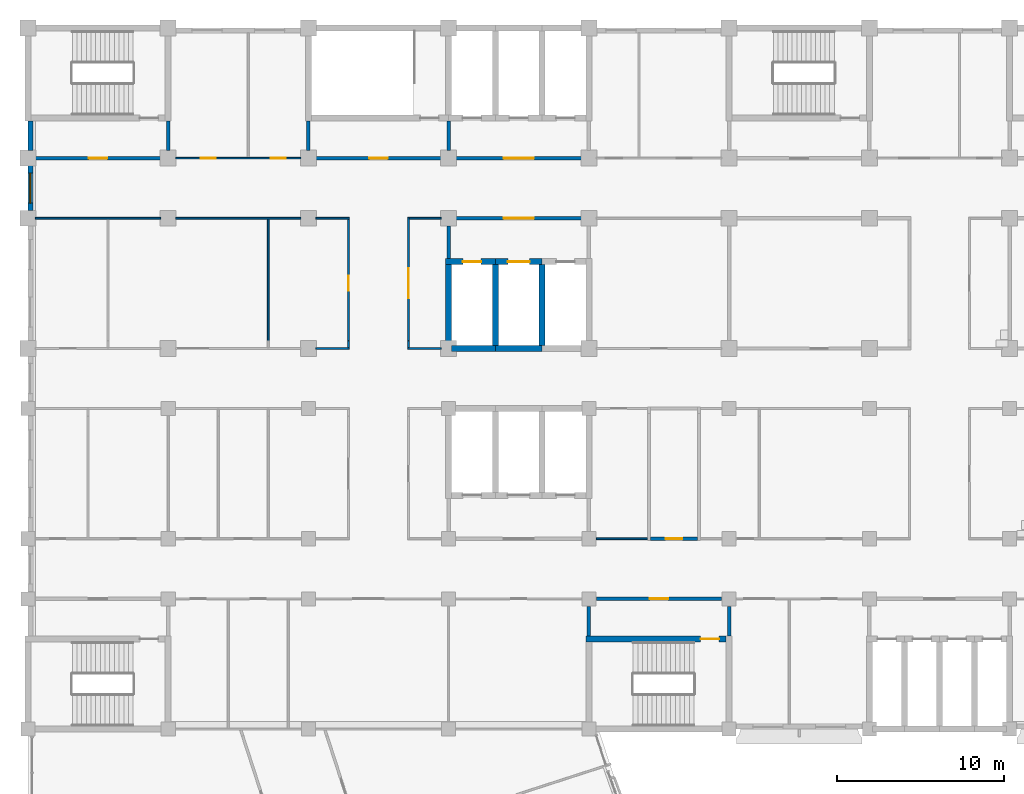
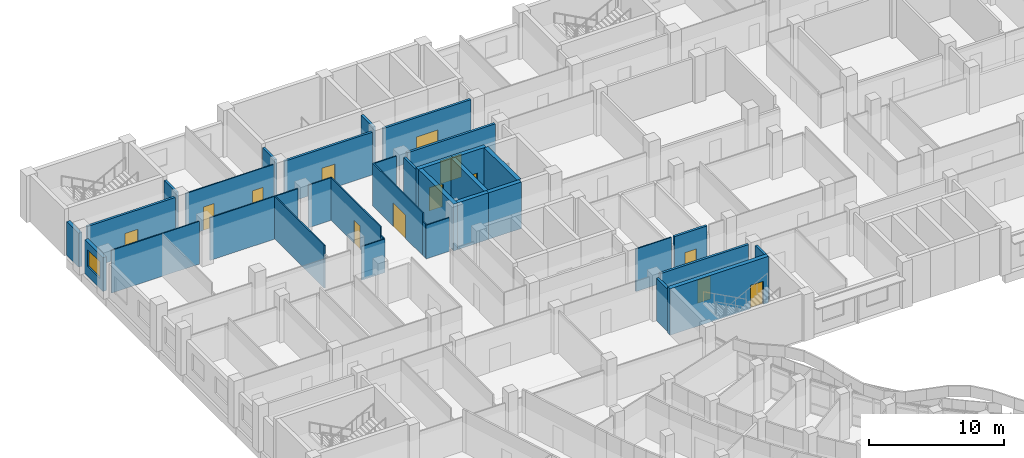
# One storey, part 58 of 109: 35 walls, 13 doors, 1 window, 14 openings.
"""IFC4 building model written with IfcOpenShell, lengths in metres."""

from ifc_helpers import new_model, si_unit, direction, frame, frame_2d, origin, place, context, subcontext, project, spatial, rectangle, extrude, material, layer, layer_set, type_object, element, fill, save


model = new_model("IFC4")

# Units and contexts
model_context = context("Model", 3, precision=1e-05, world=origin(), true_north=direction((0.0, 1.0)))
body_context = subcontext(model_context, "Body", "Model", "MODEL_VIEW")
ifc_project = project(units=[si_unit("LENGTHUNIT", "METRE"), si_unit("AREAUNIT", "SQUARE_METRE"), si_unit("VOLUMEUNIT", "CUBIC_METRE"), si_unit("PLANEANGLEUNIT", "RADIAN"), si_unit("MASSUNIT", "GRAM", prefix="KILO")], contexts=[model_context])

# Site, building, storey
site_placement = place(None, origin())
site = spatial("IfcSite", under=ifc_project, at=site_placement, CompositionType="ELEMENT")
building_placement = place(site_placement, origin())
building = spatial("IfcBuilding", under=site, at=building_placement, Name="Bougainvillea Quay General Hospital", CompositionType="ELEMENT")
storey_placement = place(building_placement, frame((0.0, 0.0, 12.60009765625)))
storey = spatial("IfcBuildingStorey", under=building, at=storey_placement, Name="L02", CompositionType="ELEMENT", Elevation=12.60009765625)

# Wall, opening, window
ifc_material_1 = material(Name="Pale stone rainscreen cladding on insulated masonry backing, pale stone", Category="masonry")
ifc_layer_1 = layer(ifc_material_1, 0.300048828125)
ifc_layer_set_1 = layer_set([ifc_layer_1], Name="Pale stone rainscreen cladding on insulated masonry backing, pale stone")
wall_type_1 = type_object("IfcWallType", Name="External wall pale stone rainscreen 300", PredefinedType="STANDARD", material=ifc_layer_set_1)
wall_1_placement = place(storey_placement, frame((42.14990234375, 151.35009765625, 0.0), z_axis=(0.0, 0.0, 1.0), x_axis=(0.0, -1.0, 0.0)))
wall_1 = element("IfcWall", 1, at=wall_1_placement, inside=storey, type_object=wall_type_1, Name="External wall wall/V4/L02/p0/10b", PredefinedType="STANDARD", context=body_context, shape_type="SweptSolid", body=[
    extrude(rectangle(XDim=2.7001953125, YDim=0.300048828125, at=frame_2d((1.35009765625, 0.0))), origin(), (0.0, 0.0, 1.0), 3.0498046875),
])
opening_1_placement = place(wall_1_placement, frame((0.449951171875, 0.0, 0.89990234375)))
opening_1 = element("IfcOpeningElement", 2, at=opening_1_placement, cuts=wall_1, Name="Opening W1", PredefinedType="OPENING", context=body_context, shape_type="SweptSolid", body=[
    extrude(rectangle(XDim=1.800048828125, YDim=1.5, at=frame_2d((0.89990234375, 0.75))), frame((0.0, 0.159912109375, 0.0), z_axis=(0.0, -1.0, 0.0), x_axis=(1.0, 0.0, 0.0)), (0.0, 0.0, 1.0), 0.320068359375),
])
ifc_material_2 = material(Name="Aluminium window frame with low-e double glazed unit", Category="aluminium")
window_type = type_object("IfcWindowType", Name="Window W1 1800x1500", PartitioningType="DOUBLE_PANEL_VERTICAL", PredefinedType="WINDOW", material=ifc_material_2)
window_placement = place(opening_1_placement, origin())
window = element("IfcWindow", 3, at=window_placement, inside=storey, type_object=window_type, Name="Window W1 1", OverallHeight=1.5, OverallWidth=1.800048828125, PartitioningType="SINGLE_PANEL", PredefinedType="WINDOW", context=body_context, shape_type="SweptSolid", body=[
    extrude(rectangle(XDim=1.800048828125, YDim=1.5, at=frame_2d((0.89990234375, 0.75))), frame((0.0, 0.030029296875, 0.0), z_axis=(0.0, -1.0, 0.0), x_axis=(1.0, 0.0, 0.0)), (0.0, 0.0, 1.0), 0.06005859375),
])
fill(opening_1, window)

# Walls
ifc_material_3 = material(Name="Terracotta rainscreen cladding on insulated masonry backing, terracotta", Category="masonry")
ifc_layer_2 = layer(ifc_material_3, 0.300048828125)
ifc_layer_set_2 = layer_set([ifc_layer_2], Name="Terracotta rainscreen cladding on insulated masonry backing, terracotta")
wall_type_2 = type_object("IfcWallType", Name="External wall terracotta rainscreen 300", PredefinedType="STANDARD", material=ifc_layer_set_2)
wall_2_placement = place(storey_placement, frame((42.14990234375, 154.02490234375, 0.0), z_axis=(0.0, 0.0, 1.0), x_axis=(0.0, -1.0, 0.0)))
element("IfcWall", 4, at=wall_2_placement, inside=storey, type_object=wall_type_2, Name="External wall wall/V4/L02/p0/10a", PredefinedType="STANDARD", context=body_context, shape_type="SweptSolid", body=[
    extrude(rectangle(XDim=1.77490234375, YDim=0.300048828125, at=frame_2d((0.887451171875, 0.0))), origin(), (0.0, 0.0, 1.0), 3.0498046875),
])
ifc_material_4 = material(Name="Gypsum board partition on steel studs", Category="steel")
ifc_layer_3 = layer(ifc_material_4, 0.10009765625)
ifc_layer_set_3 = layer_set([ifc_layer_3], Name="Gypsum board partition on steel studs")
wall_type_3 = type_object("IfcWallType", Name="Partition 100 Gypsum board partition", PredefinedType="PARTITIONING", material=ifc_layer_set_3)
wall_3_placement = place(storey_placement, frame((61.25, 140.39990234375, 0.0), z_axis=(0.0, 0.0, 1.0), x_axis=(-1.0, 0.0, 0.0)))
element("IfcWall", 5, at=wall_3_placement, inside=storey, type_object=wall_type_3, Name="Partition 100 mm", PredefinedType="PARTITIONING", context=body_context, shape_type="SweptSolid", body=[
    extrude(rectangle(XDim=2.0, YDim=0.10009765625, at=frame_2d((1.0, 0.0))), origin(), (0.0, 0.0, 1.0), 3.02978515625),
])
wall_4_placement = place(storey_placement, frame((61.25, 148.199951171875, 0.0), z_axis=(0.0, 0.0, 1.0), x_axis=(-1.0, 0.0, 0.0)))
element("IfcWall", 6, at=wall_4_placement, inside=storey, type_object=wall_type_3, Name="Partition 100 mm", PredefinedType="PARTITIONING", context=body_context, shape_type="SweptSolid", body=[
    extrude(rectangle(XDim=2.0, YDim=0.10009765625, at=frame_2d((1.0, 0.0))), origin(), (0.0, 0.0, 1.0), 3.849853515625),
])
for number, where, z_axis, x_axis, name in (
    (7, (58.35009765625, 148.199951171875, 0.0), (0.0, 0.0, 1.0), (-1.0, 0.0, 0.0), "Partition 100 mm"),
    (8, (49.949951171875, 148.199951171875, 0.0), (0.0, 0.0, 1.0), (-1.0, 0.0, 0.0), "Partition 100 mm"),
):
    element("IfcWall", number, at=place(storey_placement, frame(where, z_axis=z_axis, x_axis=x_axis)), inside=storey, type_object=wall_type_3, Name=name, PredefinedType="PARTITIONING", context=body_context, shape_type="SweptSolid", body=[
        extrude(rectangle(XDim=7.5, YDim=0.10009765625, at=frame_2d((3.75, 0.0))), origin(), (0.0, 0.0, 1.0), 3.849853515625),
    ])
wall_5_placement = place(storey_placement, frame((66.75, 140.39990234375, 0.0), z_axis=(0.0, 0.0, 1.0), x_axis=(-1.0, 0.0, 0.0)))
element("IfcWall", 9, at=wall_5_placement, inside=storey, type_object=wall_type_3, Name="Partition 100 mm", PredefinedType="PARTITIONING", context=body_context, shape_type="SweptSolid", body=[
    extrude(rectangle(XDim=2.0, YDim=0.10009765625, at=frame_2d((1.0, 0.0))), origin(), (0.0, 0.0, 1.0), 3.02978515625),
])

# Wall, openings, doors
wall_6_placement = place(storey_placement, frame((58.35009765625, 151.800048828125, 0.0), z_axis=(0.0, 0.0, 1.0), x_axis=(-1.0, 0.0, 0.0)))
wall_6 = element("IfcWall", 10, at=wall_6_placement, inside=storey, type_object=wall_type_3, Name="Partition 100 mm", PredefinedType="PARTITIONING", context=body_context, shape_type="SweptSolid", body=[
    extrude(rectangle(XDim=7.5, YDim=0.10009765625, at=frame_2d((3.75, 0.0))), origin(), (0.0, 0.0, 1.0), 3.849853515625),
])
opening_2_placement = place(wall_6_placement, frame((5.10107421875, 0.0, 0.0)))
opening_2 = element("IfcOpeningElement", 11, at=opening_2_placement, cuts=wall_6, Name="Opening L02.135", PredefinedType="OPENING", context=body_context, shape_type="SweptSolid", body=[
    extrude(rectangle(XDim=0.89990234375, YDim=2.10009765625, at=frame_2d((0.449951171875, 1.050048828125))), frame((0.0, 0.06005859375, 0.0), z_axis=(0.0, -1.0, 0.0), x_axis=(1.0, 0.0, 0.0)), (0.0, 0.0, 1.0), 0.1201171875),
])
opening_3_placement = place(wall_6_placement, frame((0.902099609375, 0.0, 0.0)))
opening_3 = element("IfcOpeningElement", 12, at=opening_3_placement, cuts=wall_6, Name="Opening L02.136", PredefinedType="OPENING", context=body_context, shape_type="SweptSolid", body=[
    extrude(rectangle(XDim=0.89990234375, YDim=2.10009765625, at=frame_2d((0.449951171875, 1.050048828125))), frame((0.0, 0.06005859375, 0.0), z_axis=(0.0, -1.0, 0.0), x_axis=(1.0, 0.0, 0.0)), (0.0, 0.0, 1.0), 0.1201171875),
])
ifc_material_5 = material(Name="Solid-core timber door leaf in steel frame", Category="steel")
door_type_1 = type_object("IfcDoorType", Name="Single leaf door 900x2100", OperationType="NOTDEFINED", PredefinedType="DOOR", material=ifc_material_5)
door_1_placement = place(opening_2_placement, frame((0.89990234375, 0.0, 0.0), z_axis=(0.0, 0.0, 1.0), x_axis=(-1.0, 0.0, 0.0)))
door_1 = element("IfcDoor", 13, at=door_1_placement, inside=storey, type_object=door_type_1, Name="DT07 L02.135", OperationType="SINGLE_SWING_LEFT", OverallHeight=2.10009765625, OverallWidth=0.89990234375, PredefinedType="DOOR", context=body_context, shape_type="SweptSolid", body=[
    extrude(rectangle(XDim=0.89990234375, YDim=2.10009765625, at=frame_2d((0.449951171875, 1.050048828125))), frame((0.0, 0.02490234375, 0.0), z_axis=(0.0, -1.0, 0.0), x_axis=(1.0, 0.0, 0.0)), (0.0, 0.0, 1.0), 0.050048828125),
])
fill(opening_2, door_1)
door_2_placement = place(opening_3_placement, frame((0.89990234375, 0.0, 0.0), z_axis=(0.0, 0.0, 1.0), x_axis=(-1.0, 0.0, 0.0)))
door_2 = element("IfcDoor", 14, at=door_2_placement, inside=storey, type_object=door_type_1, Name="DT07 L02.136", OperationType="SINGLE_SWING_RIGHT", OverallHeight=2.10009765625, OverallWidth=0.89990234375, PredefinedType="DOOR", context=body_context, shape_type="SweptSolid", body=[
    extrude(rectangle(XDim=0.89990234375, YDim=2.10009765625, at=frame_2d((0.449951171875, 1.050048828125))), frame((0.0, 0.02490234375, 0.0), z_axis=(0.0, -1.0, 0.0), x_axis=(1.0, 0.0, 0.0)), (0.0, 0.0, 1.0), 0.050048828125),
])
fill(opening_3, door_2)

# Walls
wall_7_placement = place(storey_placement, frame((56.39990234375, 140.85009765625, 0.0), z_axis=(0.0, 0.0, 1.0), x_axis=(0.0, 1.0, 0.0)))
element("IfcWall", 15, at=wall_7_placement, inside=storey, type_object=wall_type_3, Name="Partition 100 mm", PredefinedType="PARTITIONING", context=body_context, shape_type="SweptSolid", body=[
    extrude(rectangle(XDim=7.2998046875, YDim=0.10009765625, at=frame_2d((3.64990234375, 0.0))), origin(), (0.0, 0.0, 1.0), 3.849853515625),
])
wall_8_placement = place(storey_placement, frame((61.199951171875, 140.449951171875, 0.0), z_axis=(0.0, 0.0, 1.0), x_axis=(0.0, 1.0, 0.0)))
element("IfcWall", 16, at=wall_8_placement, inside=storey, type_object=wall_type_3, Name="Partition 100 mm", PredefinedType="PARTITIONING", context=body_context, shape_type="SweptSolid", body=[
    extrude(rectangle(XDim=0.400146484375, YDim=0.10009765625, at=frame_2d((0.2001953125, 0.0))), origin(), (0.0, 0.0, 1.0), 3.079833984375),
])

# Wall, opening, door
wall_9_placement = place(storey_placement, frame((61.199951171875, 140.85009765625, 0.0), z_axis=(0.0, 0.0, 1.0), x_axis=(0.0, 1.0, 0.0)))
wall_9 = element("IfcWall", 17, at=wall_9_placement, inside=storey, type_object=wall_type_3, Name="Partition 100 mm", PredefinedType="PARTITIONING", context=body_context, shape_type="SweptSolid", body=[
    extrude(rectangle(XDim=7.2998046875, YDim=0.10009765625, at=frame_2d((3.64990234375, 0.0))), origin(), (0.0, 0.0, 1.0), 3.849853515625),
])
opening_4_placement = place(wall_9_placement, frame((3.0, 0.0, 0.0)))
opening_4 = element("IfcOpeningElement", 18, at=opening_4_placement, cuts=wall_9, Name="Opening L02.134", PredefinedType="OPENING", context=body_context, shape_type="SweptSolid", body=[
    extrude(rectangle(XDim=0.89990234375, YDim=2.10009765625, at=frame_2d((0.449951171875, 1.050048828125))), frame((0.0, 0.06005859375, 0.0), z_axis=(0.0, -1.0, 0.0), x_axis=(1.0, 0.0, 0.0)), (0.0, 0.0, 1.0), 0.1201171875),
])
door_3_placement = place(opening_4_placement, origin())
door_3 = element("IfcDoor", 19, at=door_3_placement, inside=storey, type_object=door_type_1, Name="DT07 L02.134", OperationType="SINGLE_SWING_LEFT", OverallHeight=2.10009765625, OverallWidth=0.89990234375, PredefinedType="DOOR", context=body_context, shape_type="SweptSolid", body=[
    extrude(rectangle(XDim=0.89990234375, YDim=2.10009765625, at=frame_2d((0.449951171875, 1.050048828125))), frame((0.0, 0.02490234375, 0.0), z_axis=(0.0, -1.0, 0.0), x_axis=(1.0, 0.0, 0.0)), (0.0, 0.0, 1.0), 0.050048828125),
])
fill(opening_4, door_3)

# Wall
wall_10_placement = place(storey_placement, frame((64.800048828125, 140.449951171875, 0.0), z_axis=(0.0, 0.0, 1.0), x_axis=(0.0, 1.0, 0.0)))
element("IfcWall", 20, at=wall_10_placement, inside=storey, type_object=wall_type_3, Name="Partition 100 mm", PredefinedType="PARTITIONING", context=body_context, shape_type="SweptSolid", body=[
    extrude(rectangle(XDim=0.400146484375, YDim=0.10009765625, at=frame_2d((0.2001953125, 0.0))), origin(), (0.0, 0.0, 1.0), 3.079833984375),
])

# Wall, opening, door
wall_11_placement = place(storey_placement, frame((64.800048828125, 140.85009765625, 0.0), z_axis=(0.0, 0.0, 1.0), x_axis=(0.0, 1.0, 0.0)))
wall_11 = element("IfcWall", 21, at=wall_11_placement, inside=storey, type_object=wall_type_3, Name="Partition 100 mm", PredefinedType="PARTITIONING", context=body_context, shape_type="SweptSolid", body=[
    extrude(rectangle(XDim=7.39990234375, YDim=0.10009765625, at=frame_2d((3.699951171875, 0.0))), origin(), (0.0, 0.0, 1.0), 3.849853515625),
])
opening_5_placement = place(wall_11_placement, frame((2.550048828125, 0.0, 0.0)))
opening_5 = element("IfcOpeningElement", 22, at=opening_5_placement, cuts=wall_11, Name="Opening L02.139", PredefinedType="OPENING", context=body_context, shape_type="SweptSolid", body=[
    extrude(rectangle(XDim=1.800048828125, YDim=2.10009765625, at=frame_2d((0.89990234375, 1.050048828125))), frame((0.0, 0.06005859375, 0.0), z_axis=(0.0, -1.0, 0.0), x_axis=(1.0, 0.0, 0.0)), (0.0, 0.0, 1.0), 0.1201171875),
])
ifc_material_6 = material(Name="Solid-core timber door leaves in steel frame", Category="steel")
door_type_2 = type_object("IfcDoorType", Name="Double leaf door 1800x2100", OperationType="DOUBLE_DOOR_SINGLE_SWING", PredefinedType="DOOR", material=ifc_material_6)
door_4_placement = place(opening_5_placement, frame((1.800048828125, 0.0, 0.0), z_axis=(0.0, 0.0, 1.0), x_axis=(-1.0, 0.0, 0.0)))
door_4 = element("IfcDoor", 23, at=door_4_placement, inside=storey, type_object=door_type_2, Name="DT08 L02.139", OperationType="DOUBLE_DOOR_SINGLE_SWING", OverallHeight=2.10009765625, OverallWidth=1.800048828125, PredefinedType="DOOR", context=body_context, shape_type="SweptSolid", body=[
    extrude(rectangle(XDim=1.800048828125, YDim=2.10009765625, at=frame_2d((0.89990234375, 1.050048828125))), frame((0.0, 0.02490234375, 0.0), z_axis=(0.0, -1.0, 0.0), x_axis=(1.0, 0.0, 0.0)), (0.0, 0.0, 1.0), 0.050048828125),
])
fill(opening_5, door_4)

# Walls
wall_12_placement = place(storey_placement, frame((76.050048828125, 129.0, 0.0), z_axis=(0.0, 0.0, 1.0), x_axis=(1.0, 0.0, 0.0)))
element("IfcWall", 24, at=wall_12_placement, inside=storey, type_object=wall_type_3, Name="Partition 100 mm", PredefinedType="PARTITIONING", context=body_context, shape_type="SweptSolid", body=[
    extrude(rectangle(XDim=3.050048828125, YDim=0.10009765625, at=frame_2d((1.52490234375, 0.0))), origin(), (0.0, 0.0, 1.0), 3.849853515625),
])
wall_13_placement = place(storey_placement, frame((64.85009765625, 148.199951171875, 0.0), z_axis=(0.0, 0.0, 1.0), x_axis=(1.0, 0.0, 0.0)))
element("IfcWall", 25, at=wall_13_placement, inside=storey, type_object=wall_type_3, Name="Partition 100 mm", PredefinedType="PARTITIONING", context=body_context, shape_type="SweptSolid", body=[
    extrude(rectangle(XDim=1.89990234375, YDim=0.10009765625, at=frame_2d((0.949951171875, 0.0))), origin(), (0.0, 0.0, 1.0), 3.849853515625),
])

# Wall, opening, door
ifc_material_7 = material(Name="Fire-rated autoclaved aerated block wall, plastered")
ifc_layer_4 = layer(ifc_material_7, 0.199951171875)
ifc_layer_set_4 = layer_set([ifc_layer_4], Name="Fire-rated autoclaved aerated block wall, plastered")
wall_type_4 = type_object("IfcWallType", Name="Partition 200 Fire-rated autoclaved aerated block wall EI 120", PredefinedType="SOLIDWALL", material=ifc_layer_set_4)
wall_14_placement = place(storey_placement, frame((59.25, 151.800048828125, 0.0), z_axis=(0.0, 0.0, 1.0), x_axis=(1.0, 0.0, 0.0)))
wall_14 = element("IfcWall", 26, at=wall_14_placement, inside=storey, type_object=wall_type_4, Name="Partition 200 mm EI 120", PredefinedType="SOLIDWALL", context=body_context, shape_type="SweptSolid", body=[
    extrude(rectangle(XDim=7.5, YDim=0.199951171875, at=frame_2d((3.75, 0.0))), origin(), (0.0, 0.0, 1.0), 3.849853515625),
])
opening_6_placement = place(wall_14_placement, frame((3.199951171875, 0.0, 0.0)))
opening_6 = element("IfcOpeningElement", 27, at=opening_6_placement, cuts=wall_14, Name="Opening L02.039", PredefinedType="OPENING", context=body_context, shape_type="SweptSolid", body=[
    extrude(rectangle(XDim=1.10009765625, YDim=2.10009765625, at=frame_2d((0.550048828125, 1.050048828125))), frame((0.0, 0.10986328125, 0.0), z_axis=(0.0, -1.0, 0.0), x_axis=(1.0, 0.0, 0.0)), (0.0, 0.0, 1.0), 0.219970703125),
])
ifc_material_8 = material(Name="Steel fire door leaf in steel frame", Category="steel")
door_type_3 = type_object("IfcDoorType", Name="Steel single leaf door 1100x2100 FD60", OperationType="NOTDEFINED", PredefinedType="DOOR", material=ifc_material_8)
door_5_placement = place(opening_6_placement, origin())
door_5 = element("IfcDoor", 28, at=door_5_placement, inside=storey, type_object=door_type_3, Name="DT04 L02.039", OperationType="SINGLE_SWING_RIGHT", OverallHeight=2.10009765625, OverallWidth=1.10009765625, PredefinedType="DOOR", context=body_context, shape_type="SweptSolid", body=[
    extrude(rectangle(XDim=1.10009765625, YDim=2.10009765625, at=frame_2d((0.550048828125, 1.050048828125))), frame((0.0, 0.02490234375, 0.0), z_axis=(0.0, -1.0, 0.0), x_axis=(1.0, 0.0, 0.0)), (0.0, 0.0, 1.0), 0.050048828125),
])
fill(opening_6, door_5)

wall_15_placement = place(storey_placement, frame((67.64990234375, 151.800048828125, 0.0), z_axis=(0.0, 0.0, 1.0), x_axis=(1.0, 0.0, 0.0)))
wall_15 = element("IfcWall", 29, at=wall_15_placement, inside=storey, type_object=wall_type_4, Name="Partition 200 mm EI 120", PredefinedType="SOLIDWALL", context=body_context, shape_type="SweptSolid", body=[
    extrude(rectangle(XDim=7.5, YDim=0.199951171875, at=frame_2d((3.75, 0.0))), origin(), (0.0, 0.0, 1.0), 3.849853515625),
])
opening_7_placement = place(wall_15_placement, frame((2.85009765625, 0.0, 0.0)))
opening_7 = element("IfcOpeningElement", 30, at=opening_7_placement, cuts=wall_15, Name="Opening L02.047", PredefinedType="OPENING", context=body_context, shape_type="SweptSolid", body=[
    extrude(rectangle(XDim=1.800048828125, YDim=2.10009765625, at=frame_2d((0.89990234375, 1.050048828125))), frame((0.0, 0.10986328125, 0.0), z_axis=(0.0, -1.0, 0.0), x_axis=(1.0, 0.0, 0.0)), (0.0, 0.0, 1.0), 0.219970703125),
])
ifc_material_9 = material(Name="Steel fire door leaves in steel frame", Category="steel")
door_type_4 = type_object("IfcDoorType", Name="Steel double leaf door 1800x2100 FD60", OperationType="DOUBLE_DOOR_SINGLE_SWING", PredefinedType="DOOR", material=ifc_material_9)
door_6_placement = place(opening_7_placement, origin())
door_6 = element("IfcDoor", 31, at=door_6_placement, inside=storey, type_object=door_type_4, Name="DT05 L02.047", OperationType="DOUBLE_DOOR_SINGLE_SWING", OverallHeight=2.10009765625, OverallWidth=1.800048828125, PredefinedType="DOOR", context=body_context, shape_type="SweptSolid", body=[
    extrude(rectangle(XDim=1.800048828125, YDim=2.10009765625, at=frame_2d((0.89990234375, 1.050048828125))), frame((0.0, 0.02490234375, 0.0), z_axis=(0.0, -1.0, 0.0), x_axis=(1.0, 0.0, 0.0)), (0.0, 0.0, 1.0), 0.050048828125),
])
fill(opening_7, door_6)

wall_16_placement = place(storey_placement, frame((76.050048828125, 125.39990234375, 0.0), z_axis=(0.0, 0.0, 1.0), x_axis=(1.0, 0.0, 0.0)))
wall_16 = element("IfcWall", 32, at=wall_16_placement, inside=storey, type_object=wall_type_4, Name="Partition 200 mm EI 120", PredefinedType="SOLIDWALL", context=body_context, shape_type="SweptSolid", body=[
    extrude(rectangle(XDim=7.5, YDim=0.199951171875, at=frame_2d((3.75, 0.0))), origin(), (0.0, 0.0, 1.0), 3.849853515625),
])
opening_8_placement = place(wall_16_placement, frame((3.199951171875, 0.0, 0.0)))
opening_8 = element("IfcOpeningElement", 33, at=opening_8_placement, cuts=wall_16, Name="Opening L02.036", PredefinedType="OPENING", context=body_context, shape_type="SweptSolid", body=[
    extrude(rectangle(XDim=1.10009765625, YDim=2.10009765625, at=frame_2d((0.550048828125, 1.050048828125))), frame((0.0, 0.10986328125, 0.0), z_axis=(0.0, -1.0, 0.0), x_axis=(1.0, 0.0, 0.0)), (0.0, 0.0, 1.0), 0.219970703125),
])
door_7_placement = place(opening_8_placement, frame((1.10009765625, 0.0, 0.0), z_axis=(0.0, 0.0, 1.0), x_axis=(-1.0, 0.0, 0.0)))
door_7 = element("IfcDoor", 34, at=door_7_placement, inside=storey, type_object=door_type_3, Name="DT04 L02.036", OperationType="SINGLE_SWING_LEFT", OverallHeight=2.10009765625, OverallWidth=1.10009765625, PredefinedType="DOOR", context=body_context, shape_type="SweptSolid", body=[
    extrude(rectangle(XDim=1.10009765625, YDim=2.10009765625, at=frame_2d((0.550048828125, 1.050048828125))), frame((0.0, 0.02490234375, 0.0), z_axis=(0.0, -1.0, 0.0), x_axis=(1.0, 0.0, 0.0)), (0.0, 0.0, 1.0), 0.050048828125),
])
fill(opening_8, door_7)

wall_17_placement = place(storey_placement, frame((42.449951171875, 151.800048828125, 0.0), z_axis=(0.0, 0.0, 1.0), x_axis=(1.0, 0.0, 0.0)))
wall_17 = element("IfcWall", 35, at=wall_17_placement, inside=storey, type_object=wall_type_4, Name="Partition 200 mm EI 120", PredefinedType="SOLIDWALL", context=body_context, shape_type="SweptSolid", body=[
    extrude(rectangle(XDim=7.5, YDim=0.199951171875, at=frame_2d((3.75, 0.0))), origin(), (0.0, 0.0, 1.0), 3.849853515625),
])
opening_9_placement = place(wall_17_placement, frame((3.199951171875, 0.0, 0.0)))
opening_9 = element("IfcOpeningElement", 36, at=opening_9_placement, cuts=wall_17, Name="Opening L02.031", PredefinedType="OPENING", context=body_context, shape_type="SweptSolid", body=[
    extrude(rectangle(XDim=1.10009765625, YDim=2.10009765625, at=frame_2d((0.550048828125, 1.050048828125))), frame((0.0, 0.10986328125, 0.0), z_axis=(0.0, -1.0, 0.0), x_axis=(1.0, 0.0, 0.0)), (0.0, 0.0, 1.0), 0.219970703125),
])
door_8_placement = place(opening_9_placement, origin())
door_8 = element("IfcDoor", 37, at=door_8_placement, inside=storey, type_object=door_type_3, Name="DT04 L02.031", OperationType="SINGLE_SWING_RIGHT", OverallHeight=2.10009765625, OverallWidth=1.10009765625, PredefinedType="DOOR", context=body_context, shape_type="SweptSolid", body=[
    extrude(rectangle(XDim=1.10009765625, YDim=2.10009765625, at=frame_2d((0.550048828125, 1.050048828125))), frame((0.0, 0.02490234375, 0.0), z_axis=(0.0, -1.0, 0.0), x_axis=(1.0, 0.0, 0.0)), (0.0, 0.0, 1.0), 0.050048828125),
])
fill(opening_9, door_8)

wall_18_placement = place(storey_placement, frame((67.64990234375, 148.199951171875, 0.0), z_axis=(0.0, 0.0, 1.0), x_axis=(1.0, 0.0, 0.0)))
wall_18 = element("IfcWall", 38, at=wall_18_placement, inside=storey, type_object=wall_type_4, Name="Partition 200 mm EI 120", PredefinedType="SOLIDWALL", context=body_context, shape_type="SweptSolid", body=[
    extrude(rectangle(XDim=7.5, YDim=0.199951171875, at=frame_2d((3.75, 0.0))), origin(), (0.0, 0.0, 1.0), 3.849853515625),
])
opening_10_placement = place(wall_18_placement, frame((2.85009765625, 0.0, 0.0)))
opening_10 = element("IfcOpeningElement", 39, at=opening_10_placement, cuts=wall_18, Name="Opening L02.043", PredefinedType="OPENING", context=body_context, shape_type="SweptSolid", body=[
    extrude(rectangle(XDim=1.800048828125, YDim=2.10009765625, at=frame_2d((0.89990234375, 1.050048828125))), frame((0.0, 0.10986328125, 0.0), z_axis=(0.0, -1.0, 0.0), x_axis=(1.0, 0.0, 0.0)), (0.0, 0.0, 1.0), 0.219970703125),
])
door_9_placement = place(opening_10_placement, frame((1.800048828125, 0.0, 0.0), z_axis=(0.0, 0.0, 1.0), x_axis=(-1.0, 0.0, 0.0)))
door_9 = element("IfcDoor", 40, at=door_9_placement, inside=storey, type_object=door_type_4, Name="DT05 L02.043", OperationType="DOUBLE_DOOR_SINGLE_SWING", OverallHeight=2.10009765625, OverallWidth=1.800048828125, PredefinedType="DOOR", context=body_context, shape_type="SweptSolid", body=[
    extrude(rectangle(XDim=1.800048828125, YDim=2.10009765625, at=frame_2d((0.89990234375, 1.050048828125))), frame((0.0, 0.02490234375, 0.0), z_axis=(0.0, -1.0, 0.0), x_axis=(1.0, 0.0, 0.0)), (0.0, 0.0, 1.0), 0.050048828125),
])
fill(opening_10, door_9)

# Walls
wall_19_placement = place(storey_placement, frame((67.199951171875, 145.77490234375, 0.0), z_axis=(0.0, 0.0, 1.0), x_axis=(0.0, 1.0, 0.0)))
element("IfcWall", 41, at=wall_19_placement, inside=storey, type_object=wall_type_4, Name="Partition 200 mm EI 120", PredefinedType="SOLIDWALL", context=body_context, shape_type="SweptSolid", body=[
    extrude(rectangle(XDim=1.97509765625, YDim=0.199951171875, at=frame_2d((0.987548828125, 0.0))), origin(), (0.0, 0.0, 1.0), 3.849853515625),
])
for number, where, z_axis, x_axis, name in (
    (42, (75.60009765625, 123.175048828125, 0.0), (0.0, 0.0, 1.0), (0.0, 1.0, 0.0), "Partition 200 mm EI 120"),
    (43, (84.0, 123.175048828125, 0.0), (0.0, 0.0, 1.0), (0.0, 1.0, 0.0), "Partition 200 mm EI 120"),
    (44, (50.39990234375, 152.25, 0.0), (0.0, 0.0, 1.0), (0.0, 1.0, 0.0), "Partition 200 mm EI 120"),
    (45, (58.800048828125, 152.25, 0.0), (0.0, 0.0, 1.0), (0.0, 1.0, 0.0), "Partition 200 mm EI 120"),
    (46, (67.199951171875, 152.25, 0.0), (0.0, 0.0, 1.0), (0.0, 1.0, 0.0), "Partition 200 mm EI 120"),
):
    element("IfcWall", number, at=place(storey_placement, frame(where, z_axis=z_axis, x_axis=x_axis)), inside=storey, type_object=wall_type_4, Name=name, PredefinedType="SOLIDWALL", context=body_context, shape_type="SweptSolid", body=[
        extrude(rectangle(XDim=1.77490234375, YDim=0.199951171875, at=frame_2d((0.887451171875, 0.0))), origin(), (0.0, 0.0, 1.0), 3.849853515625),
    ])

# Wall, opening, door
ifc_layer_5 = layer(ifc_material_7, 0.199951171875)
ifc_layer_set_5 = layer_set([ifc_layer_5], Name="Fire-rated autoclaved aerated block wall, plastered")
wall_type_5 = type_object("IfcWallType", Name="Partition 200 Fire-rated autoclaved aerated block wall EI 60", PredefinedType="SOLIDWALL", material=ifc_layer_set_5)
wall_20_placement = place(storey_placement, frame((79.300048828125, 129.0, 0.0), z_axis=(0.0, 0.0, 1.0), x_axis=(1.0, 0.0, 0.0)))
wall_20 = element("IfcWall", 47, at=wall_20_placement, inside=storey, type_object=wall_type_5, Name="Partition 200 mm EI 60", PredefinedType="SOLIDWALL", context=body_context, shape_type="SweptSolid", body=[
    extrude(rectangle(XDim=2.800048828125, YDim=0.199951171875, at=frame_2d((1.39990234375, 0.0))), origin(), (0.0, 0.0, 1.0), 3.849853515625),
])
opening_11_placement = place(wall_20_placement, frame((0.89990234375, 0.0, 0.0)))
opening_11 = element("IfcOpeningElement", 48, at=opening_11_placement, cuts=wall_20, Name="Opening L02.100", PredefinedType="OPENING", context=body_context, shape_type="SweptSolid", body=[
    extrude(rectangle(XDim=1.0, YDim=2.10009765625, at=frame_2d((0.5, 1.050048828125))), frame((0.0, 0.10986328125, 0.0), z_axis=(0.0, -1.0, 0.0), x_axis=(1.0, 0.0, 0.0)), (0.0, 0.0, 1.0), 0.219970703125),
])
door_type_5 = type_object("IfcDoorType", Name="Steel single leaf door 1000x2100 FD60", OperationType="NOTDEFINED", PredefinedType="DOOR", material=ifc_material_8)
door_10_placement = place(opening_11_placement, origin())
door_10 = element("IfcDoor", 49, at=door_10_placement, inside=storey, type_object=door_type_5, Name="DT10 L02.100", OperationType="SINGLE_SWING_LEFT", OverallHeight=2.10009765625, OverallWidth=1.0, PredefinedType="DOOR", context=body_context, shape_type="SweptSolid", body=[
    extrude(rectangle(XDim=1.0, YDim=2.10009765625, at=frame_2d((0.5, 1.050048828125))), frame((0.0, 0.02490234375, 0.0), z_axis=(0.0, -1.0, 0.0), x_axis=(1.0, 0.0, 0.0)), (0.0, 0.0, 1.0), 0.050048828125),
])
fill(opening_11, door_10)

ifc_material_10 = material(Name="Concrete C40", Category="concrete")
ifc_layer_6 = layer(ifc_material_10, 0.35009765625)
ifc_layer_set_6 = layer_set([ifc_layer_6], Name="Concrete C40")
wall_type_6 = type_object("IfcWallType", Name="RC SHEAR WALL 350 C40", PredefinedType="SHEAR", material=ifc_layer_set_6)
wall_21_placement = place(storey_placement, frame((67.02490234375, 145.60009765625, 0.0), z_axis=(0.0, 0.0, 1.0), x_axis=(1.0, 0.0, 0.0)))
wall_21 = element("IfcWall", 50, at=wall_21_placement, inside=storey, type_object=wall_type_6, Name="Shear wall L02", PredefinedType="SHEAR", context=body_context, shape_type="SweptSolid", body=[
    extrude(rectangle(XDim=2.97509765625, YDim=0.35009765625, at=frame_2d((1.487548828125, 0.0))), origin(), (0.0, 0.0, 1.0), 4.199951171875),
])
opening_12_placement = place(wall_21_placement, frame((1.02490234375, 0.0, 0.0)))
opening_12 = element("IfcOpeningElement", 51, at=opening_12_placement, cuts=wall_21, Name="Opening LD-A1.1-L02", PredefinedType="OPENING", context=body_context, shape_type="SweptSolid", body=[
    extrude(rectangle(XDim=1.10009765625, YDim=2.10009765625, at=frame_2d((0.550048828125, 1.050048828125))), frame((0.0, 0.18505859375, 0.0), z_axis=(0.0, -1.0, 0.0), x_axis=(1.0, 0.0, 0.0)), (0.0, 0.0, 1.0), 0.3701171875),
])
ifc_material_11 = material(Name="Stainless steel centre-opening landing door", Category="steel")
door_type_6 = type_object("IfcDoorType", Name="Lift landing door 1100x2100 E 120", OperationType="DOUBLE_DOOR_SLIDING", PredefinedType="DOOR", material=ifc_material_11)
door_11_placement = place(opening_12_placement, origin())
door_11 = element("IfcDoor", 52, at=door_11_placement, inside=storey, type_object=door_type_6, Name="Lift landing door LB-A1-1 L02", OperationType="DOUBLE_DOOR_SLIDING", OverallHeight=2.10009765625, OverallWidth=1.10009765625, PredefinedType="DOOR", context=body_context, shape_type="SweptSolid", body=[
    extrude(rectangle(XDim=1.10009765625, YDim=2.10009765625, at=frame_2d((0.550048828125, 1.050048828125))), frame((0.0, 0.02490234375, 0.0), z_axis=(0.0, -1.0, 0.0), x_axis=(1.0, 0.0, 0.0)), (0.0, 0.0, 1.0), 0.050048828125),
])
fill(opening_12, door_11)

# Walls
wall_22_placement = place(storey_placement, frame((67.199951171875, 140.22509765625, 0.0), z_axis=(0.0, 0.0, 1.0), x_axis=(0.0, 1.0, 0.0)))
element("IfcWall", 53, at=wall_22_placement, inside=storey, type_object=wall_type_6, Name="Shear wall L02", PredefinedType="SHEAR", context=body_context, shape_type="SweptSolid", body=[
    extrude(rectangle(XDim=5.199951171875, YDim=0.35009765625, at=frame_2d((2.60009765625, 0.0))), origin(), (0.0, 0.0, 1.0), 4.199951171875),
])
wall_23_placement = place(storey_placement, frame((67.375, 140.39990234375, 0.0), z_axis=(0.0, 0.0, 1.0), x_axis=(1.0, 0.0, 0.0)))
element("IfcWall", 54, at=wall_23_placement, inside=storey, type_object=wall_type_6, Name="Shear wall L02", PredefinedType="SHEAR", context=body_context, shape_type="SweptSolid", body=[
    extrude(rectangle(XDim=2.625, YDim=0.35009765625, at=frame_2d((1.3125, 0.0))), origin(), (0.0, 0.0, 1.0), 4.199951171875),
])
wall_24_placement = place(storey_placement, frame((70.0, 140.39990234375, 0.0), z_axis=(0.0, 0.0, 1.0), x_axis=(1.0, 0.0, 0.0)))
element("IfcWall", 55, at=wall_24_placement, inside=storey, type_object=wall_type_6, Name="Shear wall L02", PredefinedType="SHEAR", context=body_context, shape_type="SweptSolid", body=[
    extrude(rectangle(XDim=2.800048828125, YDim=0.35009765625, at=frame_2d((1.39990234375, 0.0))), origin(), (0.0, 0.0, 1.0), 4.199951171875),
])
wall_25_placement = place(storey_placement, frame((70.0, 140.574951171875, 0.0), z_axis=(0.0, 0.0, 1.0), x_axis=(0.0, 1.0, 0.0)))
element("IfcWall", 56, at=wall_25_placement, inside=storey, type_object=wall_type_6, Name="Shear wall L02", PredefinedType="SHEAR", context=body_context, shape_type="SweptSolid", body=[
    extrude(rectangle(XDim=4.85009765625, YDim=0.35009765625, at=frame_2d((2.425048828125, 0.0))), origin(), (0.0, 0.0, 1.0), 4.199951171875),
])

# Wall, opening, door
wall_26_placement = place(storey_placement, frame((70.0, 145.60009765625, 0.0), z_axis=(0.0, 0.0, 1.0), x_axis=(1.0, 0.0, 0.0)))
wall_26 = element("IfcWall", 57, at=wall_26_placement, inside=storey, type_object=wall_type_6, Name="Shear wall L02", PredefinedType="SHEAR", context=body_context, shape_type="SweptSolid", body=[
    extrude(rectangle(XDim=2.800048828125, YDim=0.35009765625, at=frame_2d((1.39990234375, 0.0))), origin(), (0.0, 0.0, 1.0), 4.199951171875),
])
opening_13_placement = place(wall_26_placement, frame((0.75, 0.0, 0.0)))
opening_13 = element("IfcOpeningElement", 58, at=opening_13_placement, cuts=wall_26, Name="Opening LD-A1.2-L02", PredefinedType="OPENING", context=body_context, shape_type="SweptSolid", body=[
    extrude(rectangle(XDim=1.300048828125, YDim=2.10009765625, at=frame_2d((0.64990234375, 1.050048828125))), frame((0.0, 0.18505859375, 0.0), z_axis=(0.0, -1.0, 0.0), x_axis=(1.0, 0.0, 0.0)), (0.0, 0.0, 1.0), 0.3701171875),
])
door_type_7 = type_object("IfcDoorType", Name="Lift landing door 1300x2100 E 120", OperationType="DOUBLE_DOOR_SLIDING", PredefinedType="DOOR", material=ifc_material_11)
door_12_placement = place(opening_13_placement, origin())
door_12 = element("IfcDoor", 59, at=door_12_placement, inside=storey, type_object=door_type_7, Name="Lift landing door LB-A1-2 L02", OperationType="DOUBLE_DOOR_SLIDING", OverallHeight=2.10009765625, OverallWidth=1.300048828125, PredefinedType="DOOR", context=body_context, shape_type="SweptSolid", body=[
    extrude(rectangle(XDim=1.300048828125, YDim=2.10009765625, at=frame_2d((0.64990234375, 1.050048828125))), frame((0.0, 0.02490234375, 0.0), z_axis=(0.0, -1.0, 0.0), x_axis=(1.0, 0.0, 0.0)), (0.0, 0.0, 1.0), 0.050048828125),
])
fill(opening_13, door_12)

# Wall
wall_27_placement = place(storey_placement, frame((72.800048828125, 140.574951171875, 0.0), z_axis=(0.0, 0.0, 1.0), x_axis=(0.0, 1.0, 0.0)))
element("IfcWall", 60, at=wall_27_placement, inside=storey, type_object=wall_type_6, Name="Shear wall L02", PredefinedType="SHEAR", context=body_context, shape_type="SweptSolid", body=[
    extrude(rectangle(XDim=4.85009765625, YDim=0.35009765625, at=frame_2d((2.425048828125, 0.0))), origin(), (0.0, 0.0, 1.0), 4.199951171875),
])

# Wall, opening, door
wall_28_placement = place(storey_placement, frame((75.425048828125, 123.0, 0.0), z_axis=(0.0, 0.0, 1.0), x_axis=(1.0, 0.0, 0.0)))
wall_28 = element("IfcWall", 61, at=wall_28_placement, inside=storey, type_object=wall_type_6, Name="Shear wall L02", PredefinedType="SHEAR", context=body_context, shape_type="SweptSolid", body=[
    extrude(rectangle(XDim=8.39990234375, YDim=0.35009765625, at=frame_2d((4.199951171875, 0.0))), origin(), (0.0, 0.0, 1.0), 4.199951171875),
])
opening_14_placement = place(wall_28_placement, frame((6.875, 0.0, 0.0)))
opening_14 = element("IfcOpeningElement", 62, at=opening_14_placement, cuts=wall_28, Name="Opening L02.022", PredefinedType="OPENING", context=body_context, shape_type="SweptSolid", body=[
    extrude(rectangle(XDim=1.10009765625, YDim=2.10009765625, at=frame_2d((0.550048828125, 1.050048828125))), frame((0.0, 0.18505859375, 0.0), z_axis=(0.0, -1.0, 0.0), x_axis=(1.0, 0.0, 0.0)), (0.0, 0.0, 1.0), 0.3701171875),
])
door_13_placement = place(opening_14_placement, frame((1.10009765625, 0.0, 0.0), z_axis=(0.0, 0.0, 1.0), x_axis=(-1.0, 0.0, 0.0)))
door_13 = element("IfcDoor", 63, at=door_13_placement, inside=storey, type_object=door_type_3, Name="DT04 L02.022", OperationType="SINGLE_SWING_LEFT", OverallHeight=2.10009765625, OverallWidth=1.10009765625, PredefinedType="DOOR", context=body_context, shape_type="SweptSolid", body=[
    extrude(rectangle(XDim=1.10009765625, YDim=2.10009765625, at=frame_2d((0.550048828125, 1.050048828125))), frame((0.0, 0.02490234375, 0.0), z_axis=(0.0, -1.0, 0.0), x_axis=(1.0, 0.0, 0.0)), (0.0, 0.0, 1.0), 0.050048828125),
])
fill(opening_14, door_13)

save(model, "model.ifc")
